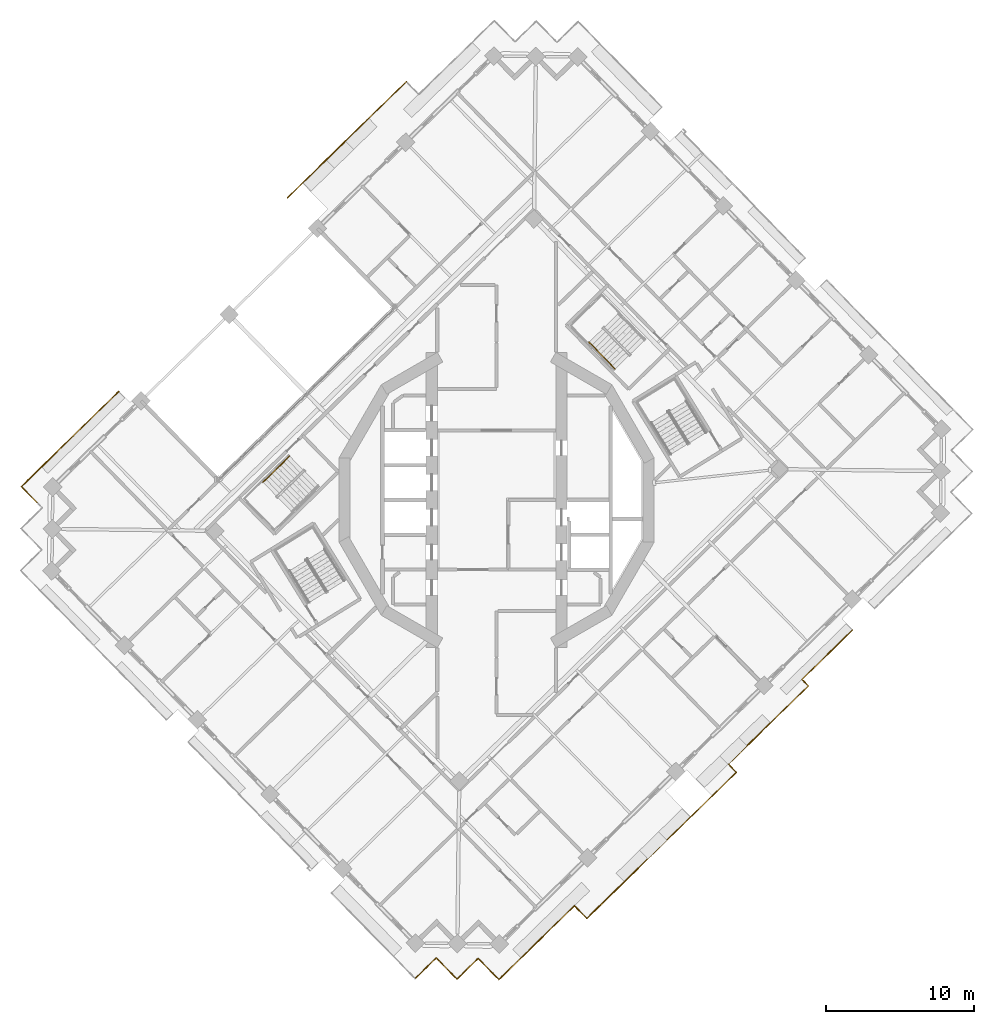
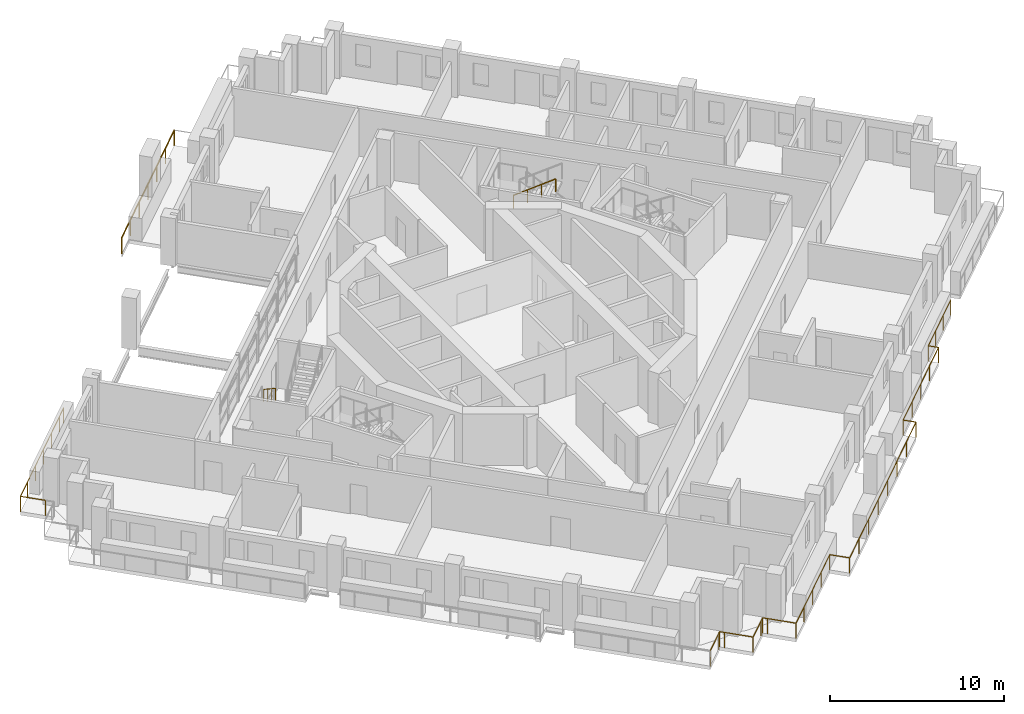
# One storey, part 18 of 21: 5 railings.
"""IFC4 building model written with IfcOpenShell, lengths in metres."""

from ifc_helpers import new_model, si_unit, direction, frame, origin, origin_2d, place, context, subcontext, project, spatial, circle, extrude, material, type_object, element, save


model = new_model("IFC4")

# Units and contexts
model_context = context("Model", 3, precision=1e-05, world=origin(), true_north=direction((0.0, 1.0)))
body_context = subcontext(model_context, "Body", "Model", "MODEL_VIEW")
ifc_project = project(units=[si_unit("LENGTHUNIT", "METRE"), si_unit("AREAUNIT", "SQUARE_METRE"), si_unit("VOLUMEUNIT", "CUBIC_METRE"), si_unit("PLANEANGLEUNIT", "RADIAN"), si_unit("MASSUNIT", "GRAM", prefix="KILO")], contexts=[model_context])

# Site, building, storey
site_placement = place(None, origin())
site = spatial("IfcSite", under=ifc_project, at=site_placement, CompositionType="ELEMENT")
building_placement = place(site_placement, origin())
building = spatial("IfcBuilding", under=site, at=building_placement, Name="Cantera Rosa Tower", CompositionType="ELEMENT")
storey_placement = place(building_placement, frame((0.0, 0.0, 234.199951171875)))
storey = spatial("IfcBuildingStorey", under=building, at=storey_placement, Name="L51", CompositionType="ELEMENT", Elevation=234.199951171875)

# Railings
ifc_material_1 = material(Name="Stainless steel and laminated glass", Category="steel")
railing_type_1 = type_object("IfcRailingType", Name="GUARD 1100", PredefinedType="BALUSTRADE", material=ifc_material_1)
railing_1_placement = place(storey_placement, frame((-31.0107421875, -0.16943359375, 0.0)))
element("IfcRailing", 1, at=railing_1_placement, inside=storey, type_object=railing_type_1, Name="GUARD L51-2", PredefinedType="BALUSTRADE", context=body_context, shape_type="SweptSolid", body=[
    extrude(circle(Radius=0.030029296875, at=origin_2d()), frame((0.0, 0.0, 1.070068359375), z_axis=(-0.698838323933, 0.71527966349, 0.0), x_axis=(-0.71527966349, -0.698838323933, 0.0)), (0.0, 0.0, 1.0), 1.499755859375),
    extrude(circle(Radius=0.030029296875, at=origin_2d()), frame((-1.048095703125, 1.07275390625, 1.070068359375), z_axis=(0.71519829713, 0.698921594874, 0.0), x_axis=(-0.698921594874, 0.71519829713, 0.0)), (0.0, 0.0, 1.0), 1.5),
    extrude(circle(Radius=0.030029296875, at=origin_2d()), frame((0.024658203125, 2.12109375, 1.070068359375), z_axis=(0.71527874674, 0.69883926225, 0.0), x_axis=(-0.69883926225, 0.71527874674, 0.0)), (0.0, 0.0, 1.0), 6.816650390625),
    extrude(circle(Radius=0.030029296875, at=origin_2d()), frame((4.900390625, 6.884765625, 1.070068359375), z_axis=(-0.668964731622, 0.743294146247, 0.0), x_axis=(-0.743294146247, -0.668964731622, 0.0)), (0.0, 0.0, 1.0), 0.003173828125),
    extrude(circle(Radius=0.030029296875, at=origin_2d()), frame((4.898193359375, 6.88720703125, 1.070068359375), z_axis=(0.715304688836, 0.698812708906, 0.0), x_axis=(-0.698812708906, 0.715304688836, 0.0)), (0.0, 0.0, 1.0), 0.873291015625),
    extrude(circle(Radius=0.02490234375, at=origin_2d()), origin(), (0.0, 0.0, 1.0), 1.0400390625),
    extrude(circle(Radius=0.02490234375, at=origin_2d()), frame((-1.048095703125, 1.07275390625, 0.0)), (0.0, 0.0, 1.0), 1.0400390625),
    extrude(circle(Radius=0.02490234375, at=origin_2d()), frame((0.024658203125, 2.12109375, 0.0)), (0.0, 0.0, 1.0), 1.0400390625),
    extrude(circle(Radius=0.02490234375, at=origin_2d()), frame((1.24365234375, 3.31201171875, 0.0)), (0.0, 0.0, 1.0), 1.0400390625),
    extrude(circle(Radius=0.02490234375, at=origin_2d()), frame((2.46240234375, 4.5029296875, 0.0)), (0.0, 0.0, 1.0), 1.0400390625),
    extrude(circle(Radius=0.02490234375, at=origin_2d()), frame((3.681396484375, 5.69384765625, 0.0)), (0.0, 0.0, 1.0), 1.0400390625),
    extrude(circle(Radius=0.02490234375, at=origin_2d()), frame((4.900390625, 6.884765625, 0.0)), (0.0, 0.0, 1.0), 1.0400390625),
    extrude(circle(Radius=0.02490234375, at=origin_2d()), frame((4.898193359375, 6.88720703125, 0.0)), (0.0, 0.0, 1.0), 1.0400390625),
    extrude(circle(Radius=0.02490234375, at=origin_2d()), frame((5.52294921875, 7.49755859375, 0.0)), (0.0, 0.0, 1.0), 1.0400390625),
])
railing_2_placement = place(storey_placement, frame((-14.096923828125, 20.381591796875, 0.0)))
element("IfcRailing", 2, at=railing_2_placement, inside=storey, type_object=railing_type_1, Name="GUARD L51-5", PredefinedType="BALUSTRADE", context=body_context, shape_type="SweptSolid", body=[
    extrude(circle(Radius=0.030029296875, at=origin_2d()), frame((0.0, 0.0, 1.070068359375), z_axis=(-0.699117631924, 0.715006669013, 0.0), x_axis=(-0.715006669013, -0.699117631924, 0.0)), (0.0, 0.0, 1.0), 0.015380859375),
    extrude(circle(Radius=0.030029296875, at=origin_2d()), frame((-0.0107421875, 0.010986328125, 1.070068359375), z_axis=(0.715287352632, 0.698830453804, 0.0), x_axis=(-0.698830453804, 0.715287352632, 0.0)), (0.0, 0.0, 1.0), 11.21533203125),
    extrude(circle(Radius=0.02490234375, at=origin_2d()), origin(), (0.0, 0.0, 1.0), 1.0400390625),
    extrude(circle(Radius=0.02490234375, at=origin_2d()), frame((-0.0107421875, 0.010986328125, 0.0)), (0.0, 0.0, 1.0), 1.0400390625),
    extrude(circle(Radius=0.02490234375, at=origin_2d()), frame((1.326171875, 1.3173828125, 0.0)), (0.0, 0.0, 1.0), 1.0400390625),
    extrude(circle(Radius=0.02490234375, at=origin_2d()), frame((2.663330078125, 2.62353515625, 0.0)), (0.0, 0.0, 1.0), 1.0400390625),
    extrude(circle(Radius=0.02490234375, at=origin_2d()), frame((4.00048828125, 3.9296875, 0.0)), (0.0, 0.0, 1.0), 1.0400390625),
    extrude(circle(Radius=0.02490234375, at=origin_2d()), frame((5.33740234375, 5.236083984375, 0.0)), (0.0, 0.0, 1.0), 1.0400390625),
    extrude(circle(Radius=0.02490234375, at=origin_2d()), frame((6.67431640625, 6.54248046875, 0.0)), (0.0, 0.0, 1.0), 1.0400390625),
    extrude(circle(Radius=0.02490234375, at=origin_2d()), frame((8.011474609375, 7.8486328125, 0.0)), (0.0, 0.0, 1.0), 1.0400390625),
])
railing_3_placement = place(storey_placement, frame((24.014404296875, -8.767822265625, 0.0)))
element("IfcRailing", 3, at=railing_3_placement, inside=storey, type_object=railing_type_1, Name="GUARD L51-7", PredefinedType="BALUSTRADE", context=body_context, shape_type="SweptSolid", body=[
    extrude(circle(Radius=0.030029296875, at=origin_2d()), frame((0.0, 0.0, 1.070068359375), z_axis=(-0.715297651663, -0.698819912084, 0.0), x_axis=(0.698819912084, -0.715297651663, 0.0)), (0.0, 0.0, 1.0), 4.77099609375),
    extrude(circle(Radius=0.030029296875, at=origin_2d()), frame((-3.41259765625, -3.333984375, 1.070068359375), z_axis=(0.69873008464, -0.715385398802, 0.0), x_axis=(0.715385398802, 0.69873008464, 0.0)), (0.0, 0.0, 1.0), 0.61572265625),
    extrude(circle(Radius=0.030029296875, at=origin_2d()), frame((-2.982421875, -3.7744140625, 1.070068359375), z_axis=(-0.715295288372, -0.698822331092, 0.0), x_axis=(0.698822331092, -0.715295288372, 0.0)), (0.0, 0.0, 1.0), 7.543701171875),
    extrude(circle(Radius=0.030029296875, at=origin_2d()), frame((-8.37841796875, -9.046142578125, 1.070068359375), z_axis=(0.698881757266, -0.715237225933, 0.0), x_axis=(0.715237225933, 0.698881757266, 0.0)), (0.0, 0.0, 1.0), 0.776123046875),
    extrude(circle(Radius=0.030029296875, at=origin_2d()), frame((-7.8359375, -9.601318359375, 1.070068359375), z_axis=(-0.715277417683, -0.698840622569, 0.0), x_axis=(0.698840622569, -0.715277417683, 0.0)), (0.0, 0.0, 1.0), 14.110595703125),
    extrude(circle(Radius=0.030029296875, at=origin_2d()), frame((-17.928955078125, -19.46240234375, 1.070068359375), z_axis=(-0.698890211106, 0.715228965311, 0.0), x_axis=(-0.715228965311, -0.698890211106, 0.0)), (0.0, 0.0, 1.0), 1.1953125),
    extrude(circle(Radius=0.030029296875, at=origin_2d()), frame((-18.764404296875, -18.607421875, 1.070068359375), z_axis=(-0.715295079704, -0.698822544678, 0.0), x_axis=(0.698822544678, -0.715295079704, 0.0)), (0.0, 0.0, 1.0), 5.424560546875),
    extrude(circle(Radius=0.030029296875, at=origin_2d()), frame((-22.64453125, -22.398193359375, 1.070068359375), z_axis=(-0.715316077832, -0.69880105094, 0.0), x_axis=(0.69880105094, -0.715316077832, 0.0)), (0.0, 0.0, 1.0), 1.699951171875),
    extrude(circle(Radius=0.030029296875, at=origin_2d()), frame((-23.860595703125, -23.586181640625, 1.070068359375), z_axis=(-0.698872839675, 0.715245939495, 0.0), x_axis=(-0.715245939495, -0.698872839675, 0.0)), (0.0, 0.0, 1.0), 1.699951171875),
    extrude(circle(Radius=0.030029296875, at=origin_2d()), frame((-25.048583984375, -22.370361328125, 1.070068359375), z_axis=(-0.698506948293, 0.715603272202, 0.0), x_axis=(-0.715603272202, -0.698506948293, 0.0)), (0.0, 0.0, 1.0), 0.2998046875),
    extrude(circle(Radius=0.030029296875, at=origin_2d()), frame((-25.258056640625, -22.15576171875, 1.070068359375), z_axis=(-0.715196445894, -0.698923489218, 0.0), x_axis=(0.698923489218, -0.715196445894, 0.0)), (0.0, 0.0, 1.0), 0.300048828125),
    extrude(circle(Radius=0.030029296875, at=origin_2d()), frame((-25.47265625, -22.365478515625, 1.070068359375), z_axis=(-0.715316077832, -0.69880105094, 0.0), x_axis=(0.69880105094, -0.715316077832, 0.0)), (0.0, 0.0, 1.0), 1.699951171875),
    extrude(circle(Radius=0.030029296875, at=origin_2d()), frame((-26.688720703125, -23.553466796875, 1.070068359375), z_axis=(-0.69880105094, 0.715316077832, 0.0), x_axis=(-0.715316077832, -0.69880105094, 0.0)), (0.0, 0.0, 1.0), 1.699951171875),
    extrude(circle(Radius=0.030029296875, at=origin_2d()), frame((-27.876708984375, -22.33740234375, 1.070068359375), z_axis=(-0.698923489218, 0.715196445894, 0.0), x_axis=(-0.715196445894, -0.698923489218, 0.0)), (0.0, 0.0, 1.0), 0.300048828125),
    extrude(circle(Radius=0.030029296875, at=origin_2d()), frame((-28.08642578125, -22.122802734375, 1.070068359375), z_axis=(-0.715196445894, -0.698923489218, 0.0), x_axis=(0.698923489218, -0.715196445894, 0.0)), (0.0, 0.0, 1.0), 0.300048828125),
    extrude(circle(Radius=0.030029296875, at=origin_2d()), frame((-28.301025390625, -22.33251953125, 1.070068359375), z_axis=(-0.715316077832, -0.69880105094, 0.0), x_axis=(0.69880105094, -0.715316077832, 0.0)), (0.0, 0.0, 1.0), 1.699951171875),
    extrude(circle(Radius=0.02490234375, at=origin_2d()), origin(), (0.0, 0.0, 1.0), 1.0400390625),
    extrude(circle(Radius=0.02490234375, at=origin_2d()), frame((-1.137451171875, -1.111328125, 0.0)), (0.0, 0.0, 1.0), 1.0400390625),
    extrude(circle(Radius=0.02490234375, at=origin_2d()), frame((-2.275146484375, -2.22265625, 0.0)), (0.0, 0.0, 1.0), 1.0400390625),
    extrude(circle(Radius=0.02490234375, at=origin_2d()), frame((-3.41259765625, -3.333984375, 0.0)), (0.0, 0.0, 1.0), 1.0400390625),
    extrude(circle(Radius=0.02490234375, at=origin_2d()), frame((-2.982421875, -3.7744140625, 0.0)), (0.0, 0.0, 1.0), 1.0400390625),
    extrude(circle(Radius=0.02490234375, at=origin_2d()), frame((-4.33154296875, -5.09228515625, 0.0)), (0.0, 0.0, 1.0), 1.0400390625),
    extrude(circle(Radius=0.02490234375, at=origin_2d()), frame((-5.680419921875, -6.41015625, 0.0)), (0.0, 0.0, 1.0), 1.0400390625),
    extrude(circle(Radius=0.02490234375, at=origin_2d()), frame((-7.029296875, -7.728271484375, 0.0)), (0.0, 0.0, 1.0), 1.0400390625),
    extrude(circle(Radius=0.02490234375, at=origin_2d()), frame((-8.37841796875, -9.046142578125, 0.0)), (0.0, 0.0, 1.0), 1.0400390625),
    extrude(circle(Radius=0.02490234375, at=origin_2d()), frame((-7.8359375, -9.601318359375, 0.0)), (0.0, 0.0, 1.0), 1.0400390625),
    extrude(circle(Radius=0.02490234375, at=origin_2d()), frame((-9.27783203125, -11.010009765625, 0.0)), (0.0, 0.0, 1.0), 1.0400390625),
    extrude(circle(Radius=0.02490234375, at=origin_2d()), frame((-10.7197265625, -12.418701171875, 0.0)), (0.0, 0.0, 1.0), 1.0400390625),
    extrude(circle(Radius=0.02490234375, at=origin_2d()), frame((-12.16162109375, -13.827392578125, 0.0)), (0.0, 0.0, 1.0), 1.0400390625),
    extrude(circle(Radius=0.02490234375, at=origin_2d()), frame((-13.603271484375, -15.236328125, 0.0)), (0.0, 0.0, 1.0), 1.0400390625),
    extrude(circle(Radius=0.02490234375, at=origin_2d()), frame((-15.045166015625, -16.64501953125, 0.0)), (0.0, 0.0, 1.0), 1.0400390625),
    extrude(circle(Radius=0.02490234375, at=origin_2d()), frame((-16.487060546875, -18.0537109375, 0.0)), (0.0, 0.0, 1.0), 1.0400390625),
    extrude(circle(Radius=0.02490234375, at=origin_2d()), frame((-17.928955078125, -19.46240234375, 0.0)), (0.0, 0.0, 1.0), 1.0400390625),
    extrude(circle(Radius=0.02490234375, at=origin_2d()), frame((-18.764404296875, -18.607421875, 0.0)), (0.0, 0.0, 1.0), 1.0400390625),
    extrude(circle(Radius=0.02490234375, at=origin_2d()), frame((-20.057861328125, -19.87109375, 0.0)), (0.0, 0.0, 1.0), 1.0400390625),
    extrude(circle(Radius=0.02490234375, at=origin_2d()), frame((-21.35107421875, -21.134521484375, 0.0)), (0.0, 0.0, 1.0), 1.0400390625),
    extrude(circle(Radius=0.02490234375, at=origin_2d()), frame((-22.64453125, -22.398193359375, 0.0)), (0.0, 0.0, 1.0), 1.0400390625),
    extrude(circle(Radius=0.02490234375, at=origin_2d()), frame((-23.860595703125, -23.586181640625, 0.0)), (0.0, 0.0, 1.0), 1.0400390625),
    extrude(circle(Radius=0.02490234375, at=origin_2d()), frame((-25.048583984375, -22.370361328125, 0.0)), (0.0, 0.0, 1.0), 1.0400390625),
    extrude(circle(Radius=0.02490234375, at=origin_2d()), frame((-25.258056640625, -22.15576171875, 0.0)), (0.0, 0.0, 1.0), 1.0400390625),
    extrude(circle(Radius=0.02490234375, at=origin_2d()), frame((-25.47265625, -22.365478515625, 0.0)), (0.0, 0.0, 1.0), 1.0400390625),
    extrude(circle(Radius=0.02490234375, at=origin_2d()), frame((-26.688720703125, -23.553466796875, 0.0)), (0.0, 0.0, 1.0), 1.0400390625),
    extrude(circle(Radius=0.02490234375, at=origin_2d()), frame((-27.876708984375, -22.33740234375, 0.0)), (0.0, 0.0, 1.0), 1.0400390625),
    extrude(circle(Radius=0.02490234375, at=origin_2d()), frame((-28.08642578125, -22.122802734375, 0.0)), (0.0, 0.0, 1.0), 1.0400390625),
    extrude(circle(Radius=0.02490234375, at=origin_2d()), frame((-28.301025390625, -22.33251953125, 0.0)), (0.0, 0.0, 1.0), 1.0400390625),
    extrude(circle(Radius=0.02490234375, at=origin_2d()), frame((-29.51708984375, -23.5205078125, 0.0)), (0.0, 0.0, 1.0), 1.0400390625),
])
ifc_material_2 = material(Name="Steel S355J2 (EN 10025-2)", Category="steel")
railing_type_2 = type_object("IfcRailingType", Name="STAIR HANDRAIL 900", PredefinedType="HANDRAIL", material=ifc_material_2)
railing_4_placement = place(storey_placement, frame((6.23388671875, 10.64013671875, 1.97998046875)))
element("IfcRailing", 4, at=railing_4_placement, inside=storey, type_object=railing_type_2, Name="L51 ST-42 stair handrail 2", PredefinedType="HANDRAIL", context=body_context, shape_type="SweptSolid", body=[
    extrude(circle(Radius=0.02392578125, at=origin_2d()), frame((0.0, 0.0, 0.8759765625), z_axis=(0.587818193466, -0.601672219931, 0.54079599776), x_axis=(0.715293958342, 0.698823692472, 0.0)), (0.0, 0.0, 1.0), 2.995849609375),
    extrude(circle(Radius=0.02099609375, at=origin_2d()), origin(), (0.0, 0.0, 1.0), 0.851806640625),
    extrude(circle(Radius=0.02099609375, at=origin_2d()), frame((0.5869140625, -0.600830078125, 0.5400390625)), (0.0, 0.0, 1.0), 0.851806640625),
    extrude(circle(Radius=0.02099609375, at=origin_2d()), frame((1.174072265625, -1.20166015625, 1.080078125)), (0.0, 0.0, 1.0), 0.851806640625),
    extrude(circle(Radius=0.02099609375, at=origin_2d()), frame((1.760986328125, -1.802490234375, 1.6201171875)), (0.0, 0.0, 1.0), 0.851806640625),
])
railing_5_placement = place(storey_placement, frame((-13.95947265625, 2.9619140625, 0.179931640625)))
element("IfcRailing", 5, at=railing_5_placement, inside=storey, type_object=railing_type_2, Name="L51 ST-43 stair handrail 1", PredefinedType="HANDRAIL", context=body_context, shape_type="SweptSolid", body=[
    extrude(circle(Radius=0.02392578125, at=origin_2d()), frame((0.0, 0.0, 0.8759765625), z_axis=(-0.601672219931, -0.587818193466, 0.54079599776), x_axis=(0.698823692472, -0.715293958342, 0.0)), (0.0, 0.0, 1.0), 2.995849609375),
    extrude(circle(Radius=0.02099609375, at=origin_2d()), origin(), (0.0, 0.0, 1.0), 0.851806640625),
    extrude(circle(Radius=0.02099609375, at=origin_2d()), frame((-0.600830078125, -0.5869140625, 0.5400390625)), (0.0, 0.0, 1.0), 0.851806640625),
    extrude(circle(Radius=0.02099609375, at=origin_2d()), frame((-1.20166015625, -1.174072265625, 1.080078125)), (0.0, 0.0, 1.0), 0.851806640625),
    extrude(circle(Radius=0.02099609375, at=origin_2d()), frame((-1.802490234375, -1.760986328125, 1.6201171875)), (0.0, 0.0, 1.0), 0.851806640625),
])

save(model, "model.ifc")
